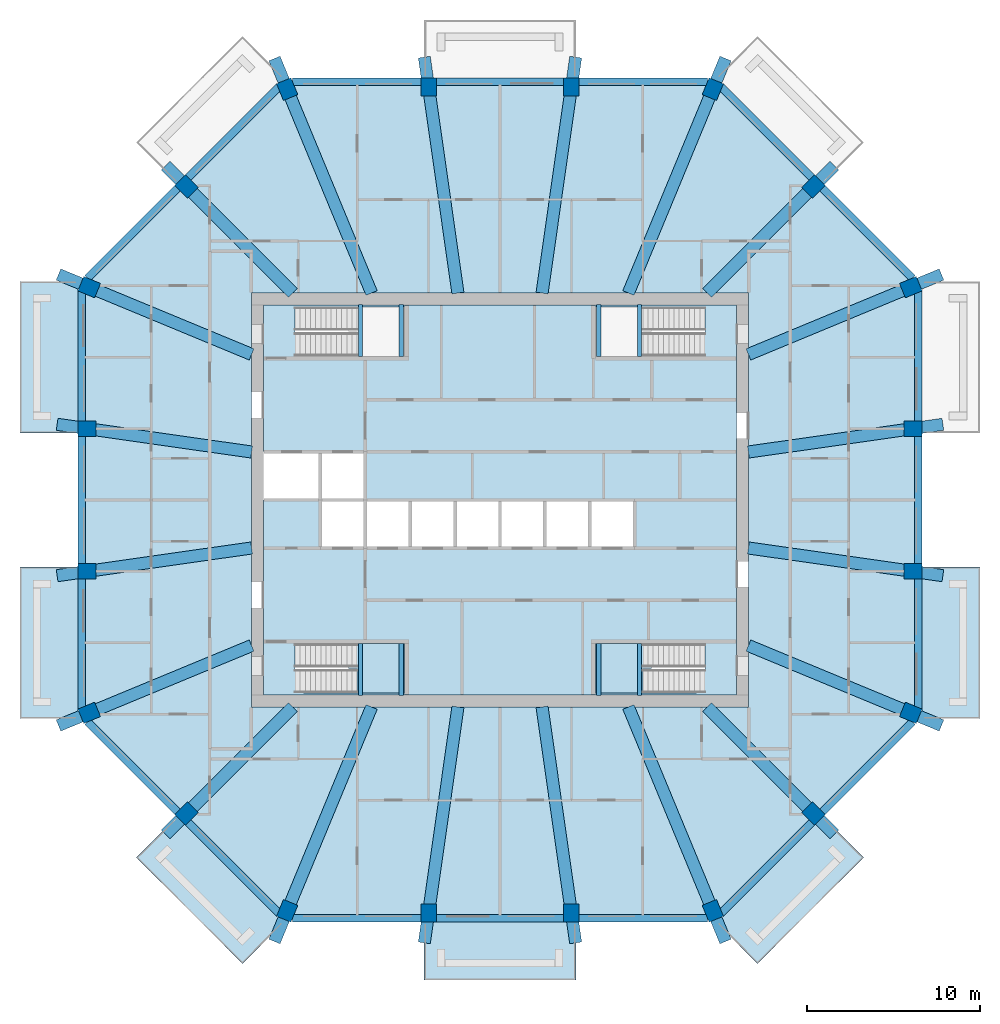
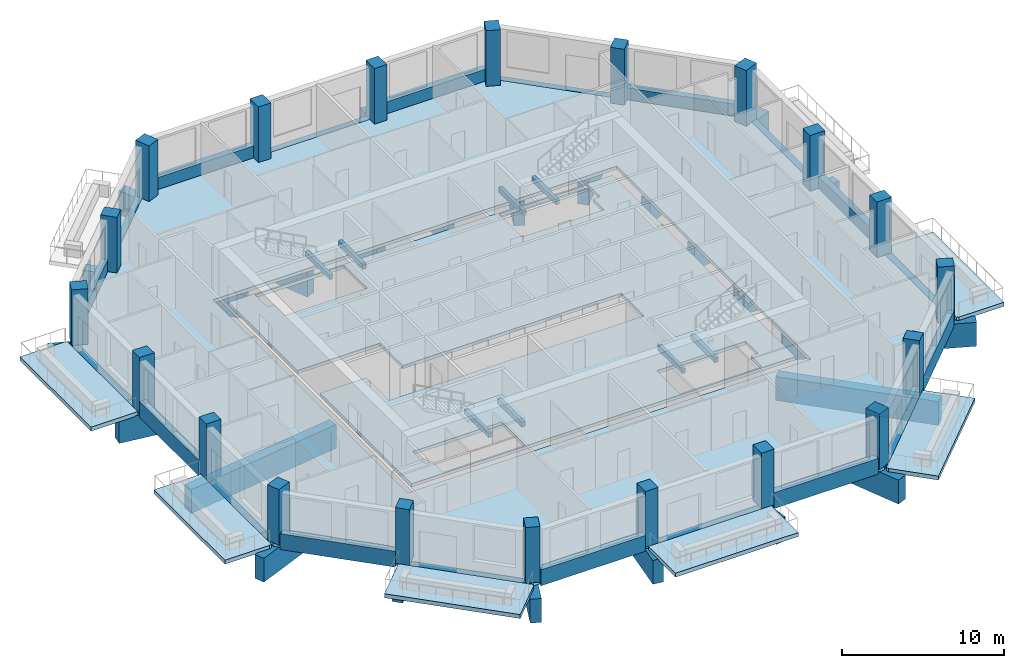
# One storey, part 1 of 12: 48 beams, 20 columns, 10 slabs, 2 elements without a shape of their own.
"""IFC4 building model written with IfcOpenShell, lengths in metres."""

import ifcopenshell
import ifcopenshell.guid

model = None  # the IFC model being written
_history = None  # IfcOwnerHistory: only IFC2X3 demands one
_inside = {}  # id of a spatial element -> (the spatial element, [elements in it])
_under = {}  # id of a project, library or spatial element -> (it, [spatial elements below it])
_declared = {}  # id of a project -> (the project, [libraries it declares])
_typed = {}  # id of a type object -> (the type object, [elements of that type])
_made_of = {}  # id of a material, layer set ... -> (it, [elements and type objects made of it])


def new_model(schema):
    """Start an empty IFC model of exactly this schema.

    Asked for "IFC4X3", IfcOpenShell would pick the latest addendum, in which some entities
    have other attributes; the version numbers below select the first issue.
    IFC2X3 requires an IfcOwnerHistory on every rooted entity: one is made here for all.
    """
    global model, _history
    if schema == "IFC4X3":
        model = ifcopenshell.file(schema_version=(4, 3, 0, 0))
    else:
        model = ifcopenshell.file(schema=schema)
    _inside.clear()
    _under.clear()
    _declared.clear()
    _typed.clear()
    _made_of.clear()
    _history = None
    if model.schema == "IFC2X3":
        org = make("IfcOrganization", Name="unknown")
        user = make(
            "IfcPersonAndOrganization",
            ThePerson=make("IfcPerson", FamilyName="unknown"),
            TheOrganization=org,
        )
        app = make(
            "IfcApplication",
            ApplicationDeveloper=org,
            Version="unknown",
            ApplicationFullName="unknown",
            ApplicationIdentifier="unknown",
        )
        _history = make(
            "IfcOwnerHistory",
            OwningUser=user,
            OwningApplication=app,
            ChangeAction="ADDED",
            CreationDate=0,
        )
    return model


def make(cls, **values):
    """One entity of the class cls with the attributes given. An attribute that is None is left unset."""
    return model.create_entity(
        cls, **{name: value for name, value in values.items() if value is not None}
    )


def rooted(cls, **values):
    """An entity with a GlobalId (a new one), such as an element, a storey or a relation."""
    return make(cls, GlobalId=ifcopenshell.guid.new(), OwnerHistory=_history, **values)


def si_unit(unit_type, name, prefix=None):
    """IfcSIUnit, for example si_unit("LENGTHUNIT", "METRE", prefix="MILLI")."""
    return make("IfcSIUnit", UnitType=unit_type, Prefix=prefix, Name=name)


def assignment(units):
    """IfcUnitAssignment: the units of a project."""
    return None if units is None else make("IfcUnitAssignment", Units=units)


def point(xyz):
    """IfcCartesianPoint."""
    return None if xyz is None else make("IfcCartesianPoint", Coordinates=xyz)


def direction(xyz):
    """IfcDirection."""
    return None if xyz is None else make("IfcDirection", DirectionRatios=xyz)


def frame(location, z_axis=None, x_axis=None):
    """IfcAxis2Placement3D, a coordinate frame: its origin and axes. An axis left out is left unset."""
    return make(
        "IfcAxis2Placement3D",
        Location=point(location),
        Axis=direction(z_axis),
        RefDirection=direction(x_axis),
    )


def frame_2d(location, x_axis=None):
    """IfcAxis2Placement2D, a coordinate frame in the plane: its origin and x axis."""
    return make(
        "IfcAxis2Placement2D", Location=point(location), RefDirection=direction(x_axis)
    )


def origin():
    """The frame at (0, 0, 0) with its axes left unset."""
    return frame((0.0, 0.0, 0.0))


def origin_2d():
    """The frame at (0, 0) in the plane with its x axis left unset."""
    return frame_2d((0.0, 0.0))


def place(relative_to, where):
    """IfcLocalPlacement: puts the frame where relative to a parent placement (None: the world)."""
    return make(
        "IfcLocalPlacement", PlacementRelTo=relative_to, RelativePlacement=where
    )


def context(
    kind, dimensions, precision=None, world=None, true_north=None, identifier=None
):
    """IfcGeometricRepresentationContext, for example the 3D "Model" context."""
    return make(
        "IfcGeometricRepresentationContext",
        ContextIdentifier=identifier,
        ContextType=kind,
        CoordinateSpaceDimension=dimensions,
        Precision=precision,
        WorldCoordinateSystem=world,
        TrueNorth=true_north,
    )


def subcontext(parent, identifier, kind, view, scale=None):
    """IfcGeometricRepresentationSubContext, for example "Body" below "Model"."""
    return make(
        "IfcGeometricRepresentationSubContext",
        ContextIdentifier=identifier,
        ContextType=kind,
        ParentContext=parent,
        TargetScale=scale,
        TargetView=view,
    )


def project(units=None, contexts=None):
    """IfcProject with its units and contexts."""
    return rooted(
        "IfcProject",
        Name="project",
        RepresentationContexts=contexts,
        UnitsInContext=assignment(units),
    )


def spatial(cls, under=None, at=None, **own):
    """A site, building, storey or space (cls), placed at a placement, below another one or the project."""
    s = rooted(cls, ObjectPlacement=at, **own)
    if under is not None:
        _under.setdefault(under.id(), (under, []))[1].append(s)
    return s


def polyline(points):
    """IfcPolyline through the points."""
    return make("IfcPolyline", Points=[point(p) for p in points])


def profile(cls, at=None, kind="AREA", **sizes):
    """A parametric profile (cls). Its sizes go by their IFC names, for example OverallWidth=200.0."""
    return make(cls, ProfileType=kind, Position=at, **sizes)


def rectangle(**sizes):
    """IfcRectangleProfileDef."""
    return profile("IfcRectangleProfileDef", **sizes)


def outline(outer, holes=None, kind="AREA"):
    """IfcArbitraryClosedProfileDef: a profile drawn as a closed curve; with holes, ...WithVoids."""
    if holes is None:
        return make("IfcArbitraryClosedProfileDef", ProfileType=kind, OuterCurve=outer)
    return make(
        "IfcArbitraryProfileDefWithVoids",
        ProfileType=kind,
        OuterCurve=outer,
        InnerCurves=holes,
    )


def extrude(swept, where, along, depth):
    """IfcExtrudedAreaSolid: the profile swept, set in the frame where, extruded along a direction by depth."""
    return make(
        "IfcExtrudedAreaSolid",
        SweptArea=swept,
        Position=where,
        ExtrudedDirection=direction(along),
        Depth=depth,
    )


def shape(context_of_items, identifier, shape_type, items):
    """IfcShapeRepresentation: the items that make up one representation, for example the "Body"."""
    return make(
        "IfcShapeRepresentation",
        ContextOfItems=context_of_items,
        RepresentationIdentifier=identifier,
        RepresentationType=shape_type,
        Items=items,
    )


def material(Name=None, Category=None):
    """IfcMaterial."""
    return make("IfcMaterial", Name=Name, Category=Category)


def layer(
    of_material, thickness, ventilated=None, Name=None, Category=None, Priority=None
):
    """IfcMaterialLayer: one layer of a wall or slab, of a material (None: an air gap)."""
    return make(
        "IfcMaterialLayer",
        Material=of_material,
        LayerThickness=thickness,
        IsVentilated=ventilated,
        Name=Name,
        Category=Category,
        Priority=Priority,
    )


def layer_set(layers, Name=None):
    """IfcMaterialLayerSet."""
    return make("IfcMaterialLayerSet", MaterialLayers=layers, LayerSetName=Name)


def material_profile(
    of_material, cross_section, Name=None, Category=None, Priority=None
):
    """IfcMaterialProfile: a cross section and its material."""
    return make(
        "IfcMaterialProfile",
        Name=Name,
        Material=of_material,
        Profile=cross_section,
        Priority=Priority,
        Category=Category,
    )


def profile_set(profiles, Name=None, composite=None):
    """IfcMaterialProfileSet."""
    return make(
        "IfcMaterialProfileSet",
        Name=Name,
        MaterialProfiles=profiles,
        CompositeProfile=composite,
    )


def made_of(thing, what):
    """Note that an element or type object is made of a material, layer set ...; save() writes the relation."""
    if what is not None:
        _made_of.setdefault(what.id(), (what, []))[1].append(thing)
    return thing


def type_object(cls, material=None, **own):
    """A type object (cls), such as IfcWallType, which elements share."""
    return made_of(rooted(cls, **own), material)


def element(
    cls,
    number,
    at=None,
    inside=None,
    cuts=None,
    type_object=None,
    material=None,
    context=None,
    identifier="Body",
    shape_type=None,
    held_by="IfcProductDefinitionShape",
    body=None,
    shapes=None,
    **own,
):
    """One element of the class cls, such as IfcWall. Its Tag is "e" and its number.

    at: its placement. inside: the storey or other place that contains it. cuts: it is an
    opening in that element (IfcRelVoidsElement). A single representation is given by context,
    identifier, shape_type and body (its items); several are given by shapes. held_by: the class
    of the entity that holds the representations. save() writes the other relations.
    """
    e = rooted(cls, Tag="e%d" % number, ObjectPlacement=at, **own)
    if body is not None:
        shapes = [shape(context, identifier, shape_type, body)]
    if shapes is not None:
        e.Representation = make(held_by, Representations=shapes)
    if inside is not None:
        _inside.setdefault(inside.id(), (inside, []))[1].append(e)
    if cuts is not None:
        rooted(
            "IfcRelVoidsElement", RelatingBuildingElement=cuts, RelatedOpeningElement=e
        )
    if type_object is not None:
        _typed.setdefault(type_object.id(), (type_object, []))[1].append(e)
    return made_of(e, material)


def aggregate(whole, parts):
    """IfcRelAggregates: a whole, such as a stair, and the parts it consists of."""
    return rooted("IfcRelAggregates", RelatingObject=whole, RelatedObjects=parts)


def save(model, path):
    """Write the relations noted so far, then the file.

    IfcRelAggregates (storeys below a building ...), IfcRelContainedInSpatialStructure (elements
    in a storey), IfcRelDefinesByType, IfcRelAssociatesMaterial and IfcRelDeclares: one each for
    every whole, place, type object, material and project.
    """
    for whole, parts in _under.values():
        aggregate(whole, parts)
    for where, things in _inside.values():
        rooted(
            "IfcRelContainedInSpatialStructure",
            RelatedElements=things,
            RelatingStructure=where,
        )
    for kind, things in _typed.values():
        rooted("IfcRelDefinesByType", RelatedObjects=things, RelatingType=kind)
    for what, things in _made_of.values():
        rooted("IfcRelAssociatesMaterial", RelatedObjects=things, RelatingMaterial=what)
    for by, libraries in _declared.values():
        rooted("IfcRelDeclares", RelatingContext=by, RelatedDefinitions=libraries)
    model.write(path)


model = new_model("IFC4")

# Units and contexts
model_context = context("Model", 3, precision=1e-05, world=origin(), true_north=direction((0.0, 1.0)))
body_context = subcontext(model_context, "Body", "Model", "MODEL_VIEW")
ifc_project = project(units=[si_unit("LENGTHUNIT", "METRE"), si_unit("AREAUNIT", "SQUARE_METRE"), si_unit("VOLUMEUNIT", "CUBIC_METRE"), si_unit("PLANEANGLEUNIT", "RADIAN"), si_unit("MASSUNIT", "GRAM", prefix="KILO")], contexts=[model_context])

# Site, building, storey
site_placement = place(None, origin())
site = spatial("IfcSite", under=ifc_project, at=site_placement, CompositionType="ELEMENT")
building_placement = place(site_placement, origin())
building = spatial("IfcBuilding", under=site, at=building_placement, Name="Msitu Wima Residences", CompositionType="ELEMENT")
storey_placement = place(building_placement, frame((0.0, 0.0, 162.300048828125)))
storey = spatial("IfcBuildingStorey", under=building, at=storey_placement, Name="L37", CompositionType="ELEMENT", Elevation=162.300048828125)

# Columns
ifc_material_1 = material(Name="Concrete C60/75", Category="concrete")
ifc_material_profile_1 = material_profile(ifc_material_1, rectangle(XDim=0.89990234375, YDim=1.050048828125, at=origin_2d()), Name="RC 900x1050")
ifc_profile_set_1 = profile_set([ifc_material_profile_1], Name="Concrete C60/75")
column_type = type_object("IfcColumnType", Name="Column RC 900x1050 Concrete C60/75", PredefinedType="COLUMN", material=ifc_profile_set_1)
for number, where, z_axis, x_axis, name in (
    (1, (23.792724609375, -12.325927734375, 0.0), (0.0, 0.0, 1.0), (0.382683496864, 0.923879505795, 0.0), "Column L37 C-E0"),
    (2, (23.925048828125, -4.13720703125, 0.0), (0.0, 0.0, 1.0), (0.0, 1.0, 0.0), "Column L37 C-E1"),
    (3, (23.925048828125, 4.13720703125, 0.0), (0.0, 0.0, 1.0), (0.0, 1.0, 0.0), "Column L37 C-E2"),
    (4, (23.792724609375, 12.325927734375, 0.0), (0.0, 0.0, 1.0), (-0.382683496864, 0.923879505795, 0.0), "Column L37 C-NE0"),
    (5, (18.15283203125, 18.15283203125, 0.0), (0.0, 0.0, 1.0), (-0.707106781187, 0.707106781187, 0.0), "Column L37 C-NE1"),
    (6, (12.325927734375, 23.792724609375, 0.0), (0.0, 0.0, 1.0), (-0.923879505795, 0.382683496864, 0.0), "Column L37 C-N0"),
    (7, (4.13720703125, 23.925048828125, 0.0), (0.0, 0.0, 1.0), (-1.0, 0.0, 0.0), "Column L37 C-N1"),
    (8, (-4.13720703125, 23.925048828125, 0.0), (0.0, 0.0, 1.0), (-1.0, 0.0, 0.0), "Column L37 C-N2"),
    (9, (-12.325927734375, 23.792724609375, 0.0), (0.0, 0.0, 1.0), (-0.923879505795, -0.382683496864, 0.0), "Column L37 C-NW0"),
    (10, (-18.15283203125, 18.15283203125, 0.0), (0.0, 0.0, 1.0), (-0.707106781187, -0.707106781187, 0.0), "Column L37 C-NW1"),
    (11, (-23.792724609375, 12.325927734375, 0.0), (0.0, 0.0, 1.0), (-0.382683496864, -0.923879505795, 0.0), "Column L37 C-W0"),
    (12, (-23.925048828125, 4.13720703125, 0.0), (0.0, 0.0, 1.0), (0.0, -1.0, 0.0), "Column L37 C-W1"),
    (13, (-23.925048828125, -4.13720703125, 0.0), (0.0, 0.0, 1.0), (0.0, -1.0, 0.0), "Column L37 C-W2"),
    (14, (-23.792724609375, -12.325927734375, 0.0), (0.0, 0.0, 1.0), (0.382683496864, -0.923879505795, 0.0), "Column L37 C-SW0"),
    (15, (-18.15283203125, -18.15283203125, 0.0), (0.0, 0.0, 1.0), (0.707106781187, -0.707106781187, 0.0), "Column L37 C-SW1"),
    (16, (-12.325927734375, -23.792724609375, 0.0), (0.0, 0.0, 1.0), (0.923879505795, -0.382683496864, 0.0), "Column L37 C-S0"),
    (17, (-4.13720703125, -23.925048828125, 0.0), (0.0, 0.0, 1.0), (1.0, 0.0, 0.0), "Column L37 C-S1"),
    (18, (4.13720703125, -23.925048828125, 0.0), (0.0, 0.0, 1.0), (1.0, 0.0, 0.0), "Column L37 C-S2"),
    (19, (12.325927734375, -23.792724609375, 0.0), (0.0, 0.0, 1.0), (0.923879505795, 0.382683496864, 0.0), "Column L37 C-SE0"),
    (20, (18.15283203125, -18.15283203125, 0.0), (0.0, 0.0, 1.0), (0.707106781187, 0.707106781187, 0.0), "Column L37 C-SE1"),
):
    element("IfcColumn", number, at=place(storey_placement, frame(where, z_axis=z_axis, x_axis=x_axis)), inside=storey, type_object=column_type, Name=name, PredefinedType="COLUMN", context=body_context, shape_type="SweptSolid", body=[
        extrude(rectangle(XDim=0.89990234375, YDim=1.050048828125, at=origin_2d()), origin(), (0.0, 0.0, 1.0), 4.199951171875),
    ])

# Beams
ifc_material_2 = material(Name="Concrete C50/60", Category="concrete")
ifc_material_profile_2 = material_profile(ifc_material_2, rectangle(XDim=0.449951171875, YDim=0.300048828125, at=origin_2d()), Name="RC 450x300")
ifc_profile_set_2 = profile_set([ifc_material_profile_2], Name="Concrete C50/60")
beam_type_1 = type_object("IfcBeamType", Name="Edge beam RC 450x300 Concrete C50/60", PredefinedType="SPANDREL", material=ifc_profile_set_2)
for number, where, z_axis, x_axis, name in (
    (21, (24.22509765625, -12.13818359375, -0.150146484375), (0.0, 1.0, 0.0), (-1.0, 0.0, 0.0), "Spandrel L37 E0"),
    (22, (24.22509765625, 4.521484375, -0.150146484375), (0.0, 1.0, 0.0), (-1.0, 0.0, 0.0), "Spandrel L37 E2"),
):
    element("IfcBeam", number, at=place(storey_placement, frame(where, z_axis=z_axis, x_axis=x_axis)), inside=storey, type_object=beam_type_1, Name=name, PredefinedType="SPANDREL", context=body_context, shape_type="SweptSolid", body=[
        extrude(rectangle(XDim=0.449951171875, YDim=0.300048828125, at=origin_2d()), origin(), (0.0, 0.0, 1.0), 7.61669921875),
    ])
beam_1_placement = place(storey_placement, frame((18.1259765625, 18.60400390625, -0.150146484375), z_axis=(-0.707106781187, 0.707106781187, 0.0), x_axis=(-0.707106781187, -0.707106781187, 0.0)))
element("IfcBeam", 23, at=beam_1_placement, inside=storey, type_object=beam_type_1, Name="Spandrel L37 NE1", PredefinedType="SPANDREL", context=body_context, shape_type="SweptSolid", body=[
    extrude(rectangle(XDim=0.449951171875, YDim=0.300048828125, at=origin_2d()), origin(), (0.0, 0.0, 1.0), 7.58251953125),
])
beam_2_placement = place(storey_placement, frame((3.83837890625, 24.22509765625, -0.150146484375), z_axis=(-1.0, 0.0, 0.0), x_axis=(0.0, -1.0, 0.0)))
element("IfcBeam", 24, at=beam_2_placement, inside=storey, type_object=beam_type_1, Name="Spandrel L37 N1", PredefinedType="SPANDREL", context=body_context, shape_type="SweptSolid", body=[
    extrude(rectangle(XDim=0.449951171875, YDim=0.300048828125, at=origin_2d()), origin(), (0.0, 0.0, 1.0), 7.6767578125),
])
beam_3_placement = place(storey_placement, frame((-12.764404296875, 23.965576171875, -0.150146484375), z_axis=(-0.707106781187, -0.707106781187, 0.0), x_axis=(0.707106781187, -0.707106781187, 0.0)))
element("IfcBeam", 25, at=beam_3_placement, inside=storey, type_object=beam_type_1, Name="Spandrel L37 NW0", PredefinedType="SPANDREL", context=body_context, shape_type="SweptSolid", body=[
    extrude(rectangle(XDim=0.449951171875, YDim=0.300048828125, at=origin_2d()), origin(), (0.0, 0.0, 1.0), 7.58251953125),
])
for number, where, z_axis, x_axis, name in (
    (26, (-24.22509765625, 12.13818359375, -0.150146484375), (0.0, -1.0, 0.0), (1.0, 0.0, 0.0), "Spandrel L37 W0"),
    (27, (-24.22509765625, -4.521484375, -0.150146484375), (0.0, -1.0, 0.0), (1.0, 0.0, 0.0), "Spandrel L37 W2"),
):
    element("IfcBeam", number, at=place(storey_placement, frame(where, z_axis=z_axis, x_axis=x_axis)), inside=storey, type_object=beam_type_1, Name=name, PredefinedType="SPANDREL", context=body_context, shape_type="SweptSolid", body=[
        extrude(rectangle(XDim=0.449951171875, YDim=0.300048828125, at=origin_2d()), origin(), (0.0, 0.0, 1.0), 7.61669921875),
    ])
beam_4_placement = place(storey_placement, frame((-18.1259765625, -18.60400390625, -0.150146484375), z_axis=(0.707106781187, -0.707106781187, 0.0), x_axis=(0.707106781187, 0.707106781187, 0.0)))
element("IfcBeam", 28, at=beam_4_placement, inside=storey, type_object=beam_type_1, Name="Spandrel L37 SW1", PredefinedType="SPANDREL", context=body_context, shape_type="SweptSolid", body=[
    extrude(rectangle(XDim=0.449951171875, YDim=0.300048828125, at=origin_2d()), origin(), (0.0, 0.0, 1.0), 7.58251953125),
])
beam_5_placement = place(storey_placement, frame((-3.83837890625, -24.22509765625, -0.150146484375), z_axis=(1.0, 0.0, 0.0), x_axis=(0.0, 1.0, 0.0)))
element("IfcBeam", 29, at=beam_5_placement, inside=storey, type_object=beam_type_1, Name="Spandrel L37 S1", PredefinedType="SPANDREL", context=body_context, shape_type="SweptSolid", body=[
    extrude(rectangle(XDim=0.449951171875, YDim=0.300048828125, at=origin_2d()), origin(), (0.0, 0.0, 1.0), 7.6767578125),
])
beam_6_placement = place(storey_placement, frame((12.764404296875, -23.965576171875, -0.150146484375), z_axis=(0.707106781187, 0.707106781187, 0.0), x_axis=(-0.707106781187, 0.707106781187, 0.0)))
element("IfcBeam", 30, at=beam_6_placement, inside=storey, type_object=beam_type_1, Name="Spandrel L37 SE0", PredefinedType="SPANDREL", context=body_context, shape_type="SweptSolid", body=[
    extrude(rectangle(XDim=0.449951171875, YDim=0.300048828125, at=origin_2d()), origin(), (0.0, 0.0, 1.0), 7.58251953125),
])
ifc_material_3 = material(Name="Concrete C40/50", Category="concrete")
ifc_material_profile_3 = material_profile(ifc_material_3, rectangle(XDim=0.25, YDim=0.35009765625, at=origin_2d()), Name="RC 250x350")
ifc_profile_set_3 = profile_set([ifc_material_profile_3], Name="Concrete C40/50")
beam_type_2 = type_object("IfcBeamType", Name="Landing beam RC 250x350", PredefinedType="BEAM", material=ifc_profile_set_3)
for number, where, z_axis, x_axis, name in (
    (31, (-8.074951171875, 8.324951171875, 1.724853515625), (0.0, 1.0, 0.0), (-1.0, 0.0, 0.0), "Stair 1 landing beam"),
    (32, (-5.72509765625, 8.324951171875, 1.724853515625), (0.0, 1.0, 0.0), (-1.0, 0.0, 0.0), "Stair 1 landing beam"),
    (33, (-8.074951171875, -11.324951171875, 1.724853515625), (0.0, 1.0, 0.0), (-1.0, 0.0, 0.0), "Stair 2 landing beam"),
    (34, (-5.72509765625, -11.324951171875, 1.724853515625), (0.0, 1.0, 0.0), (-1.0, 0.0, 0.0), "Stair 2 landing beam"),
    (35, (8.074951171875, 8.324951171875, 1.724853515625), (0.0, 1.0, 0.0), (-1.0, 0.0, 0.0), "Stair 3 landing beam"),
    (36, (5.72509765625, 8.324951171875, 1.724853515625), (0.0, 1.0, 0.0), (-1.0, 0.0, 0.0), "Stair 3 landing beam"),
    (37, (8.074951171875, -11.324951171875, 1.724853515625), (0.0, 1.0, 0.0), (-1.0, 0.0, 0.0), "Stair 4 landing beam"),
    (38, (5.72509765625, -11.324951171875, 1.724853515625), (0.0, 1.0, 0.0), (-1.0, 0.0, 0.0), "Stair 4 landing beam"),
):
    element("IfcBeam", number, at=place(storey_placement, frame(where, z_axis=z_axis, x_axis=x_axis)), inside=storey, type_object=beam_type_2, Name=name, PredefinedType="BEAM", context=body_context, shape_type="SweptSolid", body=[
        extrude(rectangle(XDim=0.25, YDim=0.35009765625, at=origin_2d()), origin(), (0.0, 0.0, 1.0), 3.0),
    ])
ifc_material_profile_4 = material_profile(ifc_material_2, rectangle(XDim=0.449951171875, YDim=1.199951171875, at=origin_2d()), Name="RC 450x1200")
ifc_profile_set_4 = profile_set([ifc_material_profile_4], Name="Concrete C50/60")
beam_type_3 = type_object("IfcBeamType", Name="Spandrel RC 450x1200 Concrete C50/60", PredefinedType="SPANDREL", material=ifc_profile_set_4)
beam_7_placement = place(storey_placement, frame((24.22509765625, -3.687255859375, 0.300048828125), z_axis=(0.0, 1.0, 0.0), x_axis=(-1.0, 0.0, 0.0)))
element("IfcBeam", 39, at=beam_7_placement, inside=storey, type_object=beam_type_3, Name="Spandrel L37 E1", PredefinedType="SPANDREL", context=body_context, shape_type="SweptSolid", body=[
    extrude(rectangle(XDim=0.449951171875, YDim=1.199951171875, at=origin_2d()), origin(), (0.0, 0.0, 1.0), 7.37451171875),
])
beam_8_placement = place(storey_placement, frame((23.88916015625, 12.8408203125, 0.300048828125), z_axis=(-0.707106781187, 0.707106781187, 0.0), x_axis=(-0.707106781187, -0.707106781187, 0.0)))
element("IfcBeam", 40, at=beam_8_placement, inside=storey, type_object=beam_type_3, Name="Spandrel L37 NE0", PredefinedType="SPANDREL", context=body_context, shape_type="SweptSolid", body=[
    extrude(rectangle(XDim=0.449951171875, YDim=1.199951171875, at=origin_2d()), origin(), (0.0, 0.0, 1.0), 7.362548828125),
])
for number, where, z_axis, x_axis, name in (
    (41, (12.02978515625, 24.22509765625, 0.300048828125), (-1.0, 0.0, 0.0), (0.0, -1.0, 0.0), "Spandrel L37 N0"),
    (42, (-4.587158203125, 24.22509765625, 0.300048828125), (-1.0, 0.0, 0.0), (0.0, -1.0, 0.0), "Spandrel L37 N2"),
):
    element("IfcBeam", number, at=place(storey_placement, frame(where, z_axis=z_axis, x_axis=x_axis)), inside=storey, type_object=beam_type_3, Name=name, PredefinedType="SPANDREL", context=body_context, shape_type="SweptSolid", body=[
        extrude(rectangle(XDim=0.449951171875, YDim=1.199951171875, at=origin_2d()), origin(), (0.0, 0.0, 1.0), 7.442626953125),
    ])
beam_9_placement = place(storey_placement, frame((-18.68310546875, 18.046875, 0.300048828125), z_axis=(-0.707106781187, -0.707106781187, 0.0), x_axis=(0.707106781187, -0.707106781187, 0.0)))
element("IfcBeam", 43, at=beam_9_placement, inside=storey, type_object=beam_type_3, Name="Spandrel L37 NW1", PredefinedType="SPANDREL", context=body_context, shape_type="SweptSolid", body=[
    extrude(rectangle(XDim=0.449951171875, YDim=1.199951171875, at=origin_2d()), origin(), (0.0, 0.0, 1.0), 7.362548828125),
])
beam_10_placement = place(storey_placement, frame((-24.22509765625, 3.687255859375, 0.300048828125), z_axis=(0.0, -1.0, 0.0), x_axis=(1.0, 0.0, 0.0)))
element("IfcBeam", 44, at=beam_10_placement, inside=storey, type_object=beam_type_3, Name="Spandrel L37 W1", PredefinedType="SPANDREL", context=body_context, shape_type="SweptSolid", body=[
    extrude(rectangle(XDim=0.449951171875, YDim=1.199951171875, at=origin_2d()), origin(), (0.0, 0.0, 1.0), 7.37451171875),
])
beam_11_placement = place(storey_placement, frame((-23.88916015625, -12.8408203125, 0.300048828125), z_axis=(0.707106781187, -0.707106781187, 0.0), x_axis=(0.707106781187, 0.707106781187, 0.0)))
element("IfcBeam", 45, at=beam_11_placement, inside=storey, type_object=beam_type_3, Name="Spandrel L37 SW0", PredefinedType="SPANDREL", context=body_context, shape_type="SweptSolid", body=[
    extrude(rectangle(XDim=0.449951171875, YDim=1.199951171875, at=origin_2d()), origin(), (0.0, 0.0, 1.0), 7.362548828125),
])
for number, where, z_axis, x_axis, name in (
    (46, (-12.02978515625, -24.22509765625, 0.300048828125), (1.0, 0.0, 0.0), (0.0, 1.0, 0.0), "Spandrel L37 S0"),
    (47, (4.587158203125, -24.22509765625, 0.300048828125), (1.0, 0.0, 0.0), (0.0, 1.0, 0.0), "Spandrel L37 S2"),
):
    element("IfcBeam", number, at=place(storey_placement, frame(where, z_axis=z_axis, x_axis=x_axis)), inside=storey, type_object=beam_type_3, Name=name, PredefinedType="SPANDREL", context=body_context, shape_type="SweptSolid", body=[
        extrude(rectangle(XDim=0.449951171875, YDim=1.199951171875, at=origin_2d()), origin(), (0.0, 0.0, 1.0), 7.442626953125),
    ])
beam_12_placement = place(storey_placement, frame((18.68310546875, -18.046875, 0.300048828125), z_axis=(0.707106781187, 0.707106781187, 0.0), x_axis=(-0.707106781187, 0.707106781187, 0.0)))
element("IfcBeam", 48, at=beam_12_placement, inside=storey, type_object=beam_type_3, Name="Spandrel L37 SE1", PredefinedType="SPANDREL", context=body_context, shape_type="SweptSolid", body=[
    extrude(rectangle(XDim=0.449951171875, YDim=1.199951171875, at=origin_2d()), origin(), (0.0, 0.0, 1.0), 7.362548828125),
])
ifc_material_4 = material(Name="Concrete C80/95", Category="concrete")
ifc_material_profile_5 = material_profile(ifc_material_4, rectangle(XDim=0.699951171875, YDim=1.800048828125, at=origin_2d()), Name="RC 700x1800")
ifc_profile_set_5 = profile_set([ifc_material_profile_5], Name="Concrete C80/95")
beam_type_4 = type_object("IfcBeamType", Name="Transfer girder TG3 RC 700x1800 Concrete C80/95", PredefinedType="BEAM", material=ifc_profile_set_5)
beam_13_placement = place(storey_placement, frame((25.569091796875, -13.061767578125, -1.150146484375), z_axis=(-0.92387593665, 0.382692113428, 0.0), x_axis=(-0.382692113428, -0.92387593665, 0.0)))
element("IfcBeam", 49, at=beam_13_placement, inside=storey, type_object=beam_type_4, Name="Transfer girder L37 C-E0", PredefinedType="BEAM", context=body_context, shape_type="SweptSolid", body=[
    extrude(rectangle(XDim=0.699951171875, YDim=1.800048828125, at=origin_2d()), origin(), (0.0, 0.0, 1.0), 12.101318359375),
])
for number, where, z_axis, x_axis, name in (
    (50, (25.64990234375, -4.383056640625, -1.150146484375), (-0.989996654769, 0.141090834384, 0.0), (-0.141090834384, -0.989996654769, 0.0), "Transfer girder L37 C-E1"),
    (51, (25.64990234375, 4.383056640625, -1.150146484375), (-0.989996654769, -0.141090834384, 0.0), (0.141090834384, -0.989996654769, 0.0), "Transfer girder L37 C-E2"),
):
    element("IfcBeam", number, at=place(storey_placement, frame(where, z_axis=z_axis, x_axis=x_axis)), inside=storey, type_object=beam_type_4, Name=name, PredefinedType="BEAM", context=body_context, shape_type="SweptSolid", body=[
        extrude(rectangle(XDim=0.699951171875, YDim=1.800048828125, at=origin_2d()), origin(), (0.0, 0.0, 1.0), 11.37548828125),
    ])
beam_14_placement = place(storey_placement, frame((25.569091796875, 13.061767578125, -1.150146484375), z_axis=(-0.92387593665, -0.382692113428, 0.0), x_axis=(0.382692113428, -0.92387593665, 0.0)))
element("IfcBeam", 52, at=beam_14_placement, inside=storey, type_object=beam_type_4, Name="Transfer girder L37 C-NE0", PredefinedType="BEAM", context=body_context, shape_type="SweptSolid", body=[
    extrude(rectangle(XDim=0.699951171875, YDim=1.800048828125, at=origin_2d()), origin(), (0.0, 0.0, 1.0), 12.101318359375),
])
for number, where, z_axis, x_axis, name in (
    (53, (19.37255859375, 19.37255859375, -1.150146484375), (-0.707106781187, -0.707106781187, 0.0), (0.707106781187, -0.707106781187, 0.0), "Transfer girder L37 C-NE1"),
    (54, (-19.37255859375, 19.37255859375, -1.150146484375), (0.707106781187, -0.707106781187, 0.0), (0.707106781187, 0.707106781187, 0.0), "Transfer girder L37 C-NW1"),
):
    element("IfcBeam", number, at=place(storey_placement, frame(where, z_axis=z_axis, x_axis=x_axis)), inside=storey, type_object=beam_type_4, Name=name, PredefinedType="BEAM", context=body_context, shape_type="SweptSolid", body=[
        extrude(rectangle(XDim=0.699951171875, YDim=1.800048828125, at=origin_2d()), origin(), (0.0, 0.0, 1.0), 10.4384765625),
    ])
beam_15_placement = place(storey_placement, frame((-25.569091796875, 13.061767578125, -1.150146484375), z_axis=(0.92387593665, -0.382692113428, 0.0), x_axis=(0.382692113428, 0.92387593665, 0.0)))
element("IfcBeam", 55, at=beam_15_placement, inside=storey, type_object=beam_type_4, Name="Transfer girder L37 C-W0", PredefinedType="BEAM", context=body_context, shape_type="SweptSolid", body=[
    extrude(rectangle(XDim=0.699951171875, YDim=1.800048828125, at=origin_2d()), origin(), (0.0, 0.0, 1.0), 12.101318359375),
])
for number, where, z_axis, x_axis, name in (
    (56, (-25.64990234375, 4.383056640625, -1.150146484375), (0.989996654769, -0.141090834384, 0.0), (0.141090834384, 0.989996654769, 0.0), "Transfer girder L37 C-W1"),
    (57, (-25.64990234375, -4.383056640625, -1.150146484375), (0.989996654769, 0.141090834384, 0.0), (-0.141090834384, 0.989996654769, 0.0), "Transfer girder L37 C-W2"),
):
    element("IfcBeam", number, at=place(storey_placement, frame(where, z_axis=z_axis, x_axis=x_axis)), inside=storey, type_object=beam_type_4, Name=name, PredefinedType="BEAM", context=body_context, shape_type="SweptSolid", body=[
        extrude(rectangle(XDim=0.699951171875, YDim=1.800048828125, at=origin_2d()), origin(), (0.0, 0.0, 1.0), 11.37548828125),
    ])
beam_16_placement = place(storey_placement, frame((-25.569091796875, -13.061767578125, -1.150146484375), z_axis=(0.92387593665, 0.382692113428, 0.0), x_axis=(-0.382692113428, 0.92387593665, 0.0)))
element("IfcBeam", 58, at=beam_16_placement, inside=storey, type_object=beam_type_4, Name="Transfer girder L37 C-SW0", PredefinedType="BEAM", context=body_context, shape_type="SweptSolid", body=[
    extrude(rectangle(XDim=0.699951171875, YDim=1.800048828125, at=origin_2d()), origin(), (0.0, 0.0, 1.0), 12.101318359375),
])
for number, where, z_axis, x_axis, name in (
    (59, (-19.37255859375, -19.37255859375, -1.150146484375), (0.707106781187, 0.707106781187, 0.0), (-0.707106781187, 0.707106781187, 0.0), "Transfer girder L37 C-SW1"),
    (60, (19.37255859375, -19.37255859375, -1.150146484375), (-0.707106781187, 0.707106781187, 0.0), (-0.707106781187, -0.707106781187, 0.0), "Transfer girder L37 C-SE1"),
):
    element("IfcBeam", number, at=place(storey_placement, frame(where, z_axis=z_axis, x_axis=x_axis)), inside=storey, type_object=beam_type_4, Name=name, PredefinedType="BEAM", context=body_context, shape_type="SweptSolid", body=[
        extrude(rectangle(XDim=0.699951171875, YDim=1.800048828125, at=origin_2d()), origin(), (0.0, 0.0, 1.0), 10.4384765625),
    ])
ifc_material_profile_6 = material_profile(ifc_material_4, rectangle(XDim=0.699951171875, YDim=1.800048828125, at=origin_2d()), Name="RC 700x1800")
ifc_profile_set_6 = profile_set([ifc_material_profile_6], Name="Concrete C80/95")
beam_type_5 = type_object("IfcBeamType", Name="Transfer girder TG4 RC 700x1800 Concrete C80/95", PredefinedType="BEAM", material=ifc_profile_set_6)
beam_17_placement = place(storey_placement, frame((13.061767578125, 25.569091796875, -1.150146484375), z_axis=(-0.382694558471, -0.923874923849, 0.0), x_axis=(0.923874923849, -0.382694558471, 0.0)))
element("IfcBeam", 61, at=beam_17_placement, inside=storey, type_object=beam_type_5, Name="Transfer girder L37 C-N0", PredefinedType="BEAM", context=body_context, shape_type="SweptSolid", body=[
    extrude(rectangle(XDim=0.699951171875, YDim=1.800048828125, at=origin_2d()), origin(), (0.0, 0.0, 1.0), 14.698974609375),
])
for number, where, z_axis, x_axis, name in (
    (62, (4.383056640625, 25.64990234375, -1.150146484375), (-0.141089456352, -0.98999685116, 0.0), (0.98999685116, -0.141089456352, 0.0), "Transfer girder L37 C-N1"),
    (63, (-4.383056640625, 25.64990234375, -1.150146484375), (0.141089456352, -0.98999685116, 0.0), (0.98999685116, 0.141089456352, 0.0), "Transfer girder L37 C-N2"),
):
    element("IfcBeam", number, at=place(storey_placement, frame(where, z_axis=z_axis, x_axis=x_axis)), inside=storey, type_object=beam_type_5, Name=name, PredefinedType="BEAM", context=body_context, shape_type="SweptSolid", body=[
        extrude(rectangle(XDim=0.699951171875, YDim=1.800048828125, at=origin_2d()), origin(), (0.0, 0.0, 1.0), 13.7998046875),
    ])
for number, where, z_axis, x_axis, name in (
    (64, (-13.061767578125, 25.569091796875, -1.150146484375), (0.382694558471, -0.923874923849, 0.0), (0.923874923849, 0.382694558471, 0.0), "Transfer girder L37 C-NW0"),
    (65, (-13.061767578125, -25.569091796875, -1.150146484375), (0.382694558471, 0.923874923849, 0.0), (-0.923874923849, 0.382694558471, 0.0), "Transfer girder L37 C-S0"),
):
    element("IfcBeam", number, at=place(storey_placement, frame(where, z_axis=z_axis, x_axis=x_axis)), inside=storey, type_object=beam_type_5, Name=name, PredefinedType="BEAM", context=body_context, shape_type="SweptSolid", body=[
        extrude(rectangle(XDim=0.699951171875, YDim=1.800048828125, at=origin_2d()), origin(), (0.0, 0.0, 1.0), 14.698974609375),
    ])
for number, where, z_axis, x_axis, name in (
    (66, (-4.383056640625, -25.64990234375, -1.150146484375), (0.141089456352, 0.98999685116, 0.0), (-0.98999685116, 0.141089456352, 0.0), "Transfer girder L37 C-S1"),
    (67, (4.383056640625, -25.64990234375, -1.150146484375), (-0.141089456352, 0.98999685116, 0.0), (-0.98999685116, -0.141089456352, 0.0), "Transfer girder L37 C-S2"),
):
    element("IfcBeam", number, at=place(storey_placement, frame(where, z_axis=z_axis, x_axis=x_axis)), inside=storey, type_object=beam_type_5, Name=name, PredefinedType="BEAM", context=body_context, shape_type="SweptSolid", body=[
        extrude(rectangle(XDim=0.699951171875, YDim=1.800048828125, at=origin_2d()), origin(), (0.0, 0.0, 1.0), 13.7998046875),
    ])
beam_18_placement = place(storey_placement, frame((13.061767578125, -25.569091796875, -1.150146484375), z_axis=(-0.382694558471, 0.923874923849, 0.0), x_axis=(-0.923874923849, -0.382694558471, 0.0)))
element("IfcBeam", 68, at=beam_18_placement, inside=storey, type_object=beam_type_5, Name="Transfer girder L37 C-SE0", PredefinedType="BEAM", context=body_context, shape_type="SweptSolid", body=[
    extrude(rectangle(XDim=0.699951171875, YDim=1.800048828125, at=origin_2d()), origin(), (0.0, 0.0, 1.0), 14.698974609375),
])

# Slabs
ifc_layer_1 = layer(ifc_material_3, 0.300048828125)
ifc_layer_set_1 = layer_set([ifc_layer_1], Name="Concrete C40/50")
slab_type_1 = type_object("IfcSlabType", Name="Balcony slab BS300", PredefinedType="FLOOR", material=ifc_layer_set_1)
slab_1_placement = place(storey_placement, frame((0.0, 0.0, -0.300048828125)))
element("IfcSlab", 69, at=slab_1_placement, inside=storey, type_object=slab_type_1, Name="Balcony E0 L37", PredefinedType="FLOOR", context=body_context, shape_type="SweptSolid", body=[
    extrude(outline(polyline([(24.449951171875, -12.111083984375), (24.449951171875, -12.111083984375), (24.449951171875, -4.587158203125), (24.449951171875, -4.587158203125), (24.449951171875, -3.88720703125), (27.800048828125, -3.88720703125), (27.800048828125, -12.661865234375), (24.603515625, -12.661865234375), (24.449951171875, -12.59814453125), (24.449951171875, -12.111083984375), (24.449951171875, -12.111083984375)])), origin(), (0.0, 0.0, 1.0), 0.300048828125),
])
slab_2_placement = place(storey_placement, frame((0.0, 0.0, -0.300048828125)))
element("IfcSlab", 70, at=slab_2_placement, inside=storey, type_object=slab_type_1, Name="Balcony W0 L37", PredefinedType="FLOOR", context=body_context, shape_type="SweptSolid", body=[
    extrude(outline(polyline([(-24.449951171875, 12.111083984375), (-24.449951171875, 12.111083984375), (-24.449951171875, 4.587158203125), (-24.449951171875, 3.88720703125), (-27.800048828125, 3.88720703125), (-27.800048828125, 12.661865234375), (-24.603515625, 12.661865234375), (-24.449951171875, 12.59814453125), (-24.449951171875, 12.111083984375), (-24.449951171875, 12.111083984375)])), origin(), (0.0, 0.0, 1.0), 0.300048828125),
])
slab_3_placement = place(storey_placement, frame((0.0, 0.0, -0.300048828125)))
element("IfcSlab", 71, at=slab_3_placement, inside=storey, type_object=slab_type_1, Name="Balcony W2 L37", PredefinedType="FLOOR", context=body_context, shape_type="SweptSolid", body=[
    extrude(outline(polyline([(-24.449951171875, -12.111083984375), (-24.449951171875, -12.111083984375), (-24.449951171875, -12.59814453125), (-24.603515625, -12.661865234375), (-27.800048828125, -12.661865234375), (-27.800048828125, -3.88720703125), (-24.449951171875, -3.88720703125), (-24.449951171875, -4.587158203125), (-24.449951171875, -4.587158203125), (-24.449951171875, -12.111083984375), (-24.449951171875, -12.111083984375)])), origin(), (0.0, 0.0, 1.0), 0.300048828125),
])
slab_4_placement = place(storey_placement, frame((0.0, 0.0, -0.300048828125)))
element("IfcSlab", 72, at=slab_4_placement, inside=storey, type_object=slab_type_1, Name="Balcony SW1 L37", PredefinedType="FLOOR", context=body_context, shape_type="SweptSolid", body=[
    extrude(outline(polyline([(-12.942626953125, -24.10546875), (-12.942626953125, -24.10546875), (-12.59814453125, -24.449951171875), (-12.661865234375, -24.603515625), (-14.922119140625, -26.86376953125), (-21.069580078125, -20.716064453125), (-18.700927734375, -18.347412109375), (-12.942626953125, -24.10546875), (-12.942626953125, -24.10546875)])), origin(), (0.0, 0.0, 1.0), 0.300048828125),
])
slab_5_placement = place(storey_placement, frame((0.0, 0.0, -0.300048828125)))
element("IfcSlab", 73, at=slab_5_placement, inside=storey, type_object=slab_type_1, Name="Balcony S1 L37", PredefinedType="FLOOR", context=body_context, shape_type="SweptSolid", body=[
    extrude(outline(polyline([(-3.687255859375, -24.449951171875), (3.687255859375, -24.449951171875), (4.38720703125, -24.449951171875), (4.38720703125, -27.800048828125), (-4.38720703125, -27.800048828125), (-4.38720703125, -24.449951171875), (-3.687255859375, -24.449951171875)])), origin(), (0.0, 0.0, 1.0), 0.300048828125),
])
slab_6_placement = place(storey_placement, frame((0.0, 0.0, -0.300048828125)))
element("IfcSlab", 74, at=slab_6_placement, inside=storey, type_object=slab_type_1, Name="Balcony SE0 L37", PredefinedType="FLOOR", context=body_context, shape_type="SweptSolid", body=[
    extrude(outline(polyline([(12.942626953125, -24.10546875), (12.942626953125, -24.10546875), (18.700927734375, -18.347412109375), (21.069580078125, -20.716064453125), (14.922119140625, -26.86376953125), (12.661865234375, -24.603515625), (12.59814453125, -24.449951171875), (12.942626953125, -24.10546875), (12.942626953125, -24.10546875)])), origin(), (0.0, 0.0, 1.0), 0.300048828125),
])
ifc_layer_2 = layer(ifc_material_3, 0.25)
ifc_layer_set_2 = layer_set([ifc_layer_2], Name="Concrete C40/50")
slab_type_2 = type_object("IfcSlabType", Name="Core floor CF250", PredefinedType="FLOOR", material=ifc_layer_set_2)
slab_7_placement = place(storey_placement, frame((0.0, 0.0, -0.25)))
element("IfcSlab", 75, at=slab_7_placement, inside=storey, type_object=slab_type_2, Name="Core floor", PredefinedType="FLOOR", context=body_context, shape_type="SweptSolid", body=[
    extrude(outline(polyline([(-13.699951171875, 11.300048828125), (-13.699951171875, 2.800048828125), (-10.39990234375, 2.800048828125), (-7.800048828125, 2.800048828125), (-7.800048828125, 0.0), (-5.199951171875, 0.0), (-2.60009765625, 0.0), (0.0, 0.0), (2.60009765625, 0.0), (5.199951171875, 0.0), (7.800048828125, 0.0), (7.800048828125, -2.800048828125), (5.199951171875, -2.800048828125), (2.60009765625, -2.800048828125), (0.0, -2.800048828125), (-2.60009765625, -2.800048828125), (-5.199951171875, -2.800048828125), (-7.800048828125, -2.800048828125), (-10.39990234375, -2.800048828125), (-10.39990234375, 0.0), (-13.699951171875, 0.0), (-13.699951171875, -11.300048828125), (13.699951171875, -11.300048828125), (13.699951171875, 11.300048828125), (-13.699951171875, 11.300048828125)]), holes=[polyline([(-11.375, -11.175048828125), (-11.375, -9.824951171875), (-11.87451171875, -9.824951171875), (-11.87451171875, -8.324951171875), (-5.52490234375, -8.324951171875), (-5.52490234375, -11.175048828125), (-11.375, -11.175048828125)]), polyline([(-11.375, 8.324951171875), (-11.375, 9.675048828125), (-11.87451171875, 9.675048828125), (-11.87451171875, 11.175048828125), (-5.52490234375, 11.175048828125), (-5.52490234375, 8.324951171875), (-11.375, 8.324951171875)]), polyline([(11.375, -9.824951171875), (11.375, -11.175048828125), (5.52490234375, -11.175048828125), (5.52490234375, -8.324951171875), (11.87451171875, -8.324951171875), (11.87451171875, -9.824951171875), (11.375, -9.824951171875)]), polyline([(11.375, 9.675048828125), (11.375, 8.324951171875), (5.52490234375, 8.324951171875), (5.52490234375, 11.175048828125), (11.87451171875, 11.175048828125), (11.87451171875, 9.675048828125), (11.375, 9.675048828125)])]), origin(), (0.0, 0.0, 1.0), 0.25),
])
ifc_layer_3 = layer(ifc_material_3, 0.25)
ifc_layer_set_3 = layer_set([ifc_layer_3], Name="Concrete C40/50")
slab_type_3 = type_object("IfcSlabType", Name="PT flat slab 250 Concrete C40/50", PredefinedType="FLOOR", material=ifc_layer_set_3)
slab_8_placement = place(storey_placement, frame((0.0, 0.0, -0.25)))
element("IfcSlab", 76, at=slab_8_placement, inside=storey, type_object=slab_type_3, Name="Floor slab L37", PredefinedType="FLOOR", context=body_context, shape_type="SweptSolid", body=[
    extrude(outline(polyline([(24.300048828125, -12.5361328125), (12.5361328125, -24.300048828125), (-12.5361328125, -24.300048828125), (-24.300048828125, -12.5361328125), (-24.300048828125, 12.5361328125), (-12.5361328125, 24.300048828125), (12.5361328125, 24.300048828125), (24.300048828125, 12.5361328125), (24.300048828125, -12.5361328125)]), holes=[polyline([(-14.39990234375, -12.0), (14.39990234375, -12.0), (14.39990234375, 12.0), (-14.39990234375, 12.0), (-14.39990234375, -12.0)])]), origin(), (0.0, 0.0, 1.0), 0.25),
])

# Stair, slab
stair_type = type_object("IfcStairType", Name="Exit stair ES1615-135", PredefinedType="HALF_TURN_STAIR", material=ifc_material_3)
stair_1_placement = place(storey_placement, origin())
stair_1 = element("IfcStair", 77, at=stair_1_placement, inside=storey, type_object=stair_type, Name="Exit stair 2", PredefinedType="HALF_TURN_STAIR")
ifc_layer_4 = layer(ifc_material_3, 0.199951171875)
ifc_layer_set_4 = layer_set([ifc_layer_4], Name="Concrete C40/50")
slab_type_4 = type_object("IfcSlabType", Name="Stair landing SL200", PredefinedType="LANDING", material=ifc_layer_set_4)
slab_9_placement = place(storey_placement, frame((0.0, 0.0, 1.89990234375)))
slab_9 = element("IfcSlab", 78, at=slab_9_placement, type_object=slab_type_4, Name="S2 landing 1", PredefinedType="LANDING", context=body_context, shape_type="SweptSolid", body=[
    extrude(outline(polyline([(-5.52490234375, -11.175048828125), (-8.275390625, -11.175048828125), (-8.275390625, -9.75), (-8.77490234375, -9.75), (-8.77490234375, -8.324951171875), (-5.52490234375, -8.324951171875), (-5.52490234375, -11.175048828125)])), origin(), (0.0, 0.0, 1.0), 0.199951171875),
])
aggregate(stair_1, [slab_9])

stair_2_placement = place(storey_placement, origin())
stair_2 = element("IfcStair", 79, at=stair_2_placement, inside=storey, type_object=stair_type, Name="Exit stair 4", PredefinedType="HALF_TURN_STAIR")
slab_10_placement = place(storey_placement, frame((0.0, 0.0, 1.89990234375)))
slab_10 = element("IfcSlab", 80, at=slab_10_placement, type_object=slab_type_4, Name="S4 landing 1", PredefinedType="LANDING", context=body_context, shape_type="SweptSolid", body=[
    extrude(outline(polyline([(5.52490234375, -11.175048828125), (8.275390625, -11.175048828125), (8.275390625, -9.75), (8.77490234375, -9.75), (8.77490234375, -8.324951171875), (5.52490234375, -8.324951171875), (5.52490234375, -11.175048828125)])), origin(), (0.0, 0.0, 1.0), 0.199951171875),
])
aggregate(stair_2, [slab_10])

save(model, "model.ifc")
